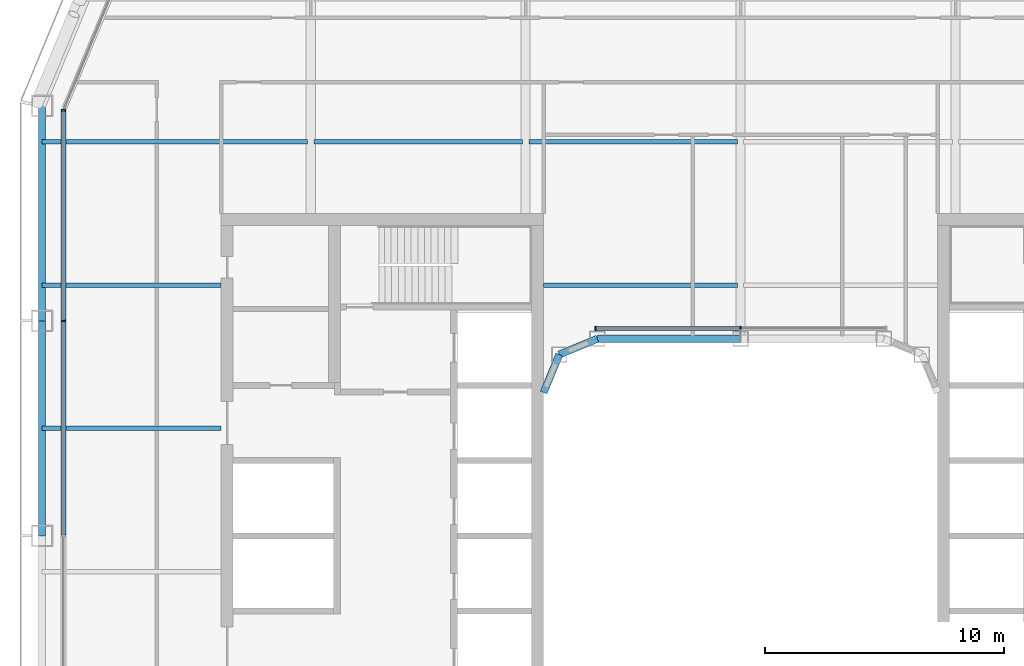
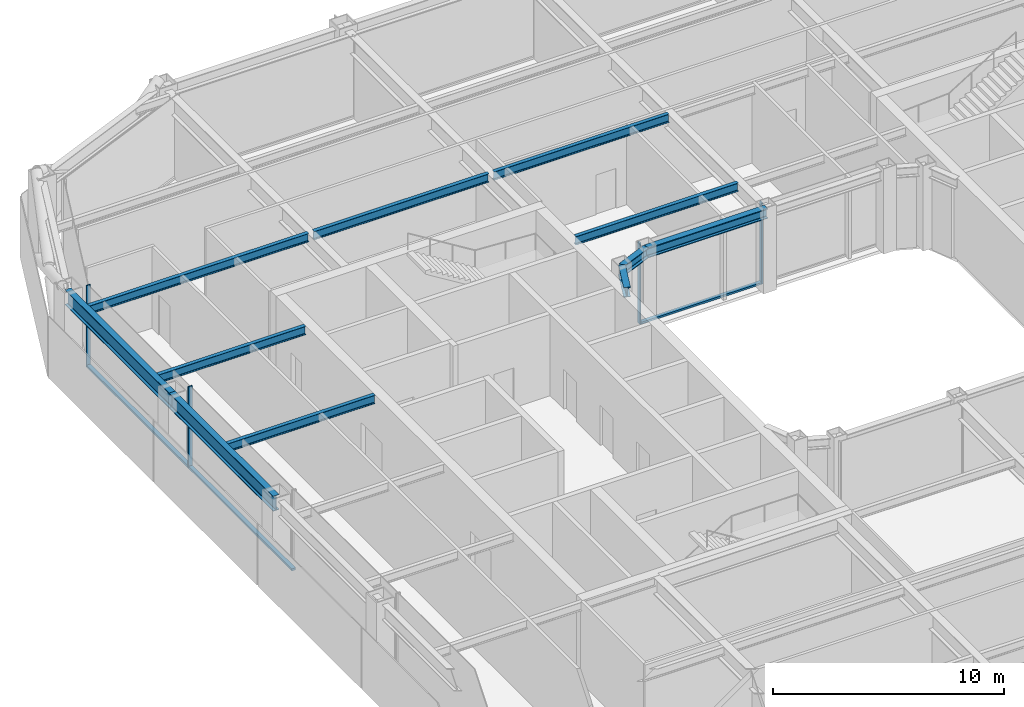
# One storey, part 6 of 21: 11 beams, 7 members, 2 elements without a shape of their own.
"""IFC4 building model written with IfcOpenShell, lengths in metres."""

from ifc_helpers import new_model, si_unit, direction, frame, origin, origin_2d, place, context, subcontext, project, spatial, rectangle, i_section, extrude, material, layer, layer_set, material_profile, profile_set, type_object, element, aggregate, save


model = new_model("IFC4")

# Units and contexts
model_context = context("Model", 3, precision=1e-05, world=origin(), true_north=direction((0.0, 1.0)))
body_context = subcontext(model_context, "Body", "Model", "MODEL_VIEW")
ifc_project = project(units=[si_unit("LENGTHUNIT", "METRE"), si_unit("AREAUNIT", "SQUARE_METRE"), si_unit("VOLUMEUNIT", "CUBIC_METRE"), si_unit("PLANEANGLEUNIT", "RADIAN"), si_unit("MASSUNIT", "GRAM", prefix="KILO")], contexts=[model_context])

# Site, building, storey
site_placement = place(None, origin())
site = spatial("IfcSite", under=ifc_project, at=site_placement, CompositionType="ELEMENT")
building_placement = place(site_placement, origin())
building = spatial("IfcBuilding", under=site, at=building_placement, Name="Siwar Civic Tower", CompositionType="ELEMENT")
storey_placement = place(building_placement, frame((0.0, 0.0, 176.699951171875)))
storey = spatial("IfcBuildingStorey", under=building, at=storey_placement, Name="L38", CompositionType="ELEMENT", Elevation=176.699951171875)

# Curtain wall, members
ifc_material_1 = material(Name="Aluminium and glass", Category="aluminium")
ifc_layer_1 = layer(ifc_material_1, 0.199951171875)
ifc_layer_set_1 = layer_set([ifc_layer_1], Name="Aluminium and glass")
curtain_wall_type_1 = type_object("IfcCurtainWallType", Name="ENV-CW-B", PredefinedType="NOTDEFINED", material=ifc_layer_set_1)
curtain_wall_1_placement = place(storey_placement, origin())
curtain_wall_1 = element("IfcCurtainWall", 1, at=curtain_wall_1_placement, inside=storey, type_object=curtain_wall_type_1, Name="Curtain wall B W", PredefinedType="NOTDEFINED")
ifc_material_2 = material(Name="Aluminium 6063-T6", Category="aluminium")
ifc_material_profile_1 = material_profile(ifc_material_2, rectangle(XDim=0.199951171875, YDim=0.06494140625, at=origin_2d()), Name="AL 200x65")
ifc_profile_set_1 = profile_set([ifc_material_profile_1], Name="Aluminium 6063-T6")
member_type_1 = type_object("IfcMemberType", Name="ENV-MULLION-B", PredefinedType="MULLION", material=ifc_profile_set_1)
member_1_placement = place(storey_placement, frame((-28.35009765625, 17.821044921875, 0.0), z_axis=(0.0, 0.0, 1.0), x_axis=(1.0, 0.0, 0.0)))
member_1 = element("IfcMember", 2, at=member_1_placement, type_object=member_type_1, Name="Mullion B W 1", PredefinedType="MULLION", context=body_context, shape_type="SweptSolid", body=[
    extrude(rectangle(XDim=0.199951171875, YDim=0.06494140625, at=origin_2d()), origin(), (0.0, 0.0, 1.0), 4.300048828125),
])
member_2_placement = place(storey_placement, frame((-28.35009765625, 9.0, 0.0), z_axis=(0.0, 0.0, 1.0), x_axis=(1.0, 0.0, 0.0)))
member_2 = element("IfcMember", 3, at=member_2_placement, type_object=member_type_1, Name="Mullion B W 2", PredefinedType="MULLION", context=body_context, shape_type="SweptSolid", body=[
    extrude(rectangle(XDim=0.199951171875, YDim=0.06494140625, at=origin_2d()), origin(), (0.0, 0.0, 1.0), 4.300048828125),
])

ifc_material_3 = material(Name="Aluminium and glass", Category="aluminium")
ifc_layer_2 = layer(ifc_material_3, 0.179931640625)
ifc_layer_set_2 = layer_set([ifc_layer_2], Name="Aluminium and glass")
curtain_wall_type_2 = type_object("IfcCurtainWallType", Name="ENV-CW-W", PredefinedType="NOTDEFINED", material=ifc_layer_set_2)
curtain_wall_2_placement = place(storey_placement, origin())
curtain_wall_2 = element("IfcCurtainWall", 4, at=curtain_wall_2_placement, inside=storey, type_object=curtain_wall_type_2, Name="Curtain wall W WN", PredefinedType="NOTDEFINED")
ifc_material_4 = material(Name="Aluminium 6063-T6", Category="aluminium")
ifc_material_profile_2 = material_profile(ifc_material_4, rectangle(XDim=0.179931640625, YDim=0.06005859375, at=origin_2d()), Name="AL 180x60")
ifc_profile_set_2 = profile_set([ifc_material_profile_2], Name="Aluminium 6063-T6")
member_type_2 = type_object("IfcMemberType", Name="ENV-MULLION-W", PredefinedType="MULLION", material=ifc_profile_set_2)
member_3_placement = place(storey_placement, frame((0.0, 8.68505859375, 0.0), z_axis=(0.0, 0.0, 1.0), x_axis=(0.0, -1.0, 0.0)))
member_3 = element("IfcMember", 5, at=member_3_placement, type_object=member_type_2, Name="Mullion W WN 2", PredefinedType="MULLION", context=body_context, shape_type="SweptSolid", body=[
    extrude(rectangle(XDim=0.179931640625, YDim=0.06005859375, at=origin_2d()), origin(), (0.0, 0.0, 1.0), 4.300048828125),
])
member_4_placement = place(storey_placement, frame((-6.08642578125, 8.68505859375, 0.0), z_axis=(0.0, 0.0, 1.0), x_axis=(0.0, -1.0, 0.0)))
member_4 = element("IfcMember", 6, at=member_4_placement, type_object=member_type_2, Name="Mullion W WN 3", PredefinedType="MULLION", context=body_context, shape_type="SweptSolid", body=[
    extrude(rectangle(XDim=0.179931640625, YDim=0.06005859375, at=origin_2d()), origin(), (0.0, 0.0, 1.0), 4.300048828125),
])

# Member
ifc_material_5 = material(Name="Aluminium 6063-T6", Category="aluminium")
ifc_material_profile_3 = material_profile(ifc_material_5, rectangle(XDim=0.199951171875, YDim=0.110107421875, at=origin_2d()), Name="AL 200x110")
ifc_profile_set_3 = profile_set([ifc_material_profile_3], Name="Aluminium 6063-T6")
member_type_3 = type_object("IfcMemberType", Name="ENV-TRANSOM-B", PredefinedType="USERDEFINED", material=ifc_profile_set_3)
member_5_placement = place(storey_placement, frame((-28.35009765625, 17.78857421875, 0.054931640625), z_axis=(0.0, -1.0, 0.0), x_axis=(1.0, 0.0, 0.0)))
member_5 = element("IfcMember", 7, at=member_5_placement, type_object=member_type_3, Name="Transom B W 1", ObjectType="TRANSOM", PredefinedType="USERDEFINED", context=body_context, shape_type="SweptSolid", body=[
    extrude(rectangle(XDim=0.199951171875, YDim=0.110107421875, at=origin_2d()), origin(), (0.0, 0.0, 1.0), 8.756103515625),
])

member_6_placement = place(storey_placement, frame((-28.35009765625, 8.967529296875, 0.054931640625), z_axis=(0.0, -1.0, 0.0), x_axis=(1.0, 0.0, 0.0)))
member_6 = element("IfcMember", 8, at=member_6_placement, type_object=member_type_3, Name="Transom B W 2", ObjectType="TRANSOM", PredefinedType="USERDEFINED", context=body_context, shape_type="SweptSolid", body=[
    extrude(rectangle(XDim=0.199951171875, YDim=0.110107421875, at=origin_2d()), origin(), (0.0, 0.0, 1.0), 8.93505859375),
])

aggregate(curtain_wall_1, [member_1, member_2, member_5, member_6])

ifc_material_6 = material(Name="Aluminium 6063-T6", Category="aluminium")
ifc_material_profile_4 = material_profile(ifc_material_6, rectangle(XDim=0.179931640625, YDim=0.10009765625, at=origin_2d()), Name="AL 180x100")
ifc_profile_set_4 = profile_set([ifc_material_profile_4], Name="Aluminium 6063-T6")
member_type_4 = type_object("IfcMemberType", Name="ENV-TRANSOM-W", PredefinedType="USERDEFINED", material=ifc_profile_set_4)
member_7_placement = place(storey_placement, frame((-0.030029296875, 8.68505859375, 0.050048828125), z_axis=(-1.0, 0.0, 0.0), x_axis=(0.0, -1.0, 0.0)))
member_7 = element("IfcMember", 9, at=member_7_placement, type_object=member_type_4, Name="Transom W WN 2", ObjectType="TRANSOM", PredefinedType="USERDEFINED", context=body_context, shape_type="SweptSolid", body=[
    extrude(rectangle(XDim=0.179931640625, YDim=0.10009765625, at=origin_2d()), origin(), (0.0, 0.0, 1.0), 6.026611328125),
])

aggregate(curtain_wall_2, [member_3, member_4, member_7])

# Beams
ifc_material_7 = material(Name="Steel S355", Category="steel")
ifc_material_profile_5 = material_profile(ifc_material_7, i_section(OverallWidth=0.18994140625, OverallDepth=0.449951171875, WebThickness=0.009521484375, FlangeThickness=0.0146484375, FilletRadius=0.02099609375, at=origin_2d()), Name="IPE450")
ifc_profile_set_5 = profile_set([ifc_material_profile_5], Name="Steel S355")
beam_type_1 = type_object("IfcBeamType", Name="STR-FB-IPE450", PredefinedType="JOIST", material=ifc_profile_set_5)
for number, where, z_axis, x_axis, name in (
    (10, (-29.25, 4.5, 4.074951171875), (1.0, 0.0, 0.0), (0.0, 1.0, 0.0), "L38/bm/F025"),
    (11, (-29.25, 10.5, 4.074951171875), (1.0, 0.0, 0.0), (0.0, 1.0, 0.0), "L38/bm/F027"),
):
    element("IfcBeam", number, at=place(storey_placement, frame(where, z_axis=z_axis, x_axis=x_axis)), inside=storey, type_object=beam_type_1, Name=name, PredefinedType="JOIST", context=body_context, shape_type="SweptSolid", body=[
        extrude(i_section(OverallWidth=0.18994140625, OverallDepth=0.449951171875, WebThickness=0.009521484375, FlangeThickness=0.0146484375, FilletRadius=0.02099609375, at=origin_2d()), origin(), (0.0, 0.0, 1.0), 7.5),
    ])
beam_1_placement = place(storey_placement, frame((-8.25, 10.5, 4.074951171875), z_axis=(1.0, 0.0, 0.0), x_axis=(0.0, 1.0, 0.0)))
element("IfcBeam", 12, at=beam_1_placement, inside=storey, type_object=beam_type_1, Name="L38/bm/F028", PredefinedType="JOIST", context=body_context, shape_type="SweptSolid", body=[
    extrude(i_section(OverallWidth=0.18994140625, OverallDepth=0.449951171875, WebThickness=0.009521484375, FlangeThickness=0.0146484375, FilletRadius=0.02099609375, at=origin_2d()), origin(), (0.0, 0.0, 1.0), 8.1201171875),
])
beam_2_placement = place(storey_placement, frame((-29.25, 16.5, 4.074951171875), z_axis=(1.0, 0.0, 0.0), x_axis=(0.0, 1.0, 0.0)))
element("IfcBeam", 13, at=beam_2_placement, inside=storey, type_object=beam_type_1, Name="L38/bm/F031", PredefinedType="JOIST", context=body_context, shape_type="SweptSolid", body=[
    extrude(i_section(OverallWidth=0.18994140625, OverallDepth=0.449951171875, WebThickness=0.009521484375, FlangeThickness=0.0146484375, FilletRadius=0.02099609375, at=origin_2d()), origin(), (0.0, 0.0, 1.0), 11.1201171875),
])
for number, where, z_axis, x_axis, name in (
    (14, (-17.8701171875, 16.5, 4.074951171875), (1.0, 0.0, 0.0), (0.0, 1.0, 0.0), "L38/bm/F032"),
    (15, (-8.8701171875, 16.5, 4.074951171875), (1.0, 0.0, 0.0), (0.0, 1.0, 0.0), "L38/bm/F033"),
):
    element("IfcBeam", number, at=place(storey_placement, frame(where, z_axis=z_axis, x_axis=x_axis)), inside=storey, type_object=beam_type_1, Name=name, PredefinedType="JOIST", context=body_context, shape_type="SweptSolid", body=[
        extrude(i_section(OverallWidth=0.18994140625, OverallDepth=0.449951171875, WebThickness=0.009521484375, FlangeThickness=0.0146484375, FilletRadius=0.02099609375, at=origin_2d()), origin(), (0.0, 0.0, 1.0), 8.740234375),
    ])
ifc_material_8 = material(Name="Steel S355", Category="steel")
ifc_material_profile_6 = material_profile(ifc_material_8, i_section(OverallWidth=0.305908203125, OverallDepth=0.52392578125, WebThickness=0.02099609375, FlangeThickness=0.0400390625, FilletRadius=0.027099609375, at=origin_2d()), Name="HEM500")
ifc_profile_set_6 = profile_set([ifc_material_profile_6], Name="Steel S355")
beam_type_2 = type_object("IfcBeamType", Name="STR-RB-HEM500", PredefinedType="BEAM", material=ifc_profile_set_6)
beam_3_placement = place(storey_placement, frame((-7.591064453125, 7.591064453125, 4.0380859375), z_axis=(0.923901072997, 0.382631424892, 0.0), x_axis=(-0.382631424892, 0.923901072997, 0.0)))
element("IfcBeam", 16, at=beam_3_placement, inside=storey, type_object=beam_type_2, Name="L38/bm/RN0", PredefinedType="BEAM", context=body_context, shape_type="SweptSolid", body=[
    extrude(i_section(OverallWidth=0.305908203125, OverallDepth=0.52392578125, WebThickness=0.02099609375, FlangeThickness=0.0400390625, FilletRadius=0.027099609375, at=origin_2d()), origin(), (0.0, 0.0, 1.0), 1.72216796875),
])
beam_4_placement = place(storey_placement, frame((-6.0, 8.25, 4.0380859375), z_axis=(1.0, 0.0, 0.0), x_axis=(0.0, 1.0, 0.0)))
element("IfcBeam", 17, at=beam_4_placement, inside=storey, type_object=beam_type_2, Name="L38/bm/RN1", PredefinedType="BEAM", context=body_context, shape_type="SweptSolid", body=[
    extrude(i_section(OverallWidth=0.305908203125, OverallDepth=0.52392578125, WebThickness=0.02099609375, FlangeThickness=0.0400390625, FilletRadius=0.027099609375, at=origin_2d()), origin(), (0.0, 0.0, 1.0), 6.0),
])
beam_5_placement = place(storey_placement, frame((-7.591064453125, 7.591064453125, 4.0380859375), z_axis=(-0.382631424892, -0.923901072997, 0.0), x_axis=(0.923901072997, -0.382631424892, 0.0)))
element("IfcBeam", 18, at=beam_5_placement, inside=storey, type_object=beam_type_2, Name="L38/bm/RNEW", PredefinedType="BEAM", context=body_context, shape_type="SweptSolid", body=[
    extrude(i_section(OverallWidth=0.305908203125, OverallDepth=0.52392578125, WebThickness=0.02099609375, FlangeThickness=0.0400390625, FilletRadius=0.027099609375, at=origin_2d()), origin(), (0.0, 0.0, 1.0), 1.72216796875),
])
ifc_material_9 = material(Name="Steel S355", Category="steel")
ifc_material_profile_7 = material_profile(ifc_material_9, i_section(OverallWidth=0.300048828125, OverallDepth=0.800048828125, WebThickness=0.017578125, FlangeThickness=0.032958984375, FilletRadius=0.030029296875, at=origin_2d()), Name="HEB800")
ifc_profile_set_7 = profile_set([ifc_material_profile_7], Name="Steel S355")
beam_type_3 = type_object("IfcBeamType", Name="STR-SB-HEB800", PredefinedType="BEAM", material=ifc_profile_set_7)
for number, where, z_axis, x_axis, name in (
    (19, (-29.25, 18.0, 3.900146484375), (0.0, -1.0, 0.0), (1.0, 0.0, 0.0), "L38/bm/SW-0"),
    (20, (-29.25, 9.0, 3.900146484375), (0.0, -1.0, 0.0), (1.0, 0.0, 0.0), "L38/bm/SW-1"),
):
    element("IfcBeam", number, at=place(storey_placement, frame(where, z_axis=z_axis, x_axis=x_axis)), inside=storey, type_object=beam_type_3, Name=name, PredefinedType="BEAM", context=body_context, shape_type="SweptSolid", body=[
        extrude(i_section(OverallWidth=0.300048828125, OverallDepth=0.800048828125, WebThickness=0.017578125, FlangeThickness=0.032958984375, FilletRadius=0.030029296875, at=origin_2d()), origin(), (0.0, 0.0, 1.0), 9.0),
    ])

save(model, "model.ifc")
